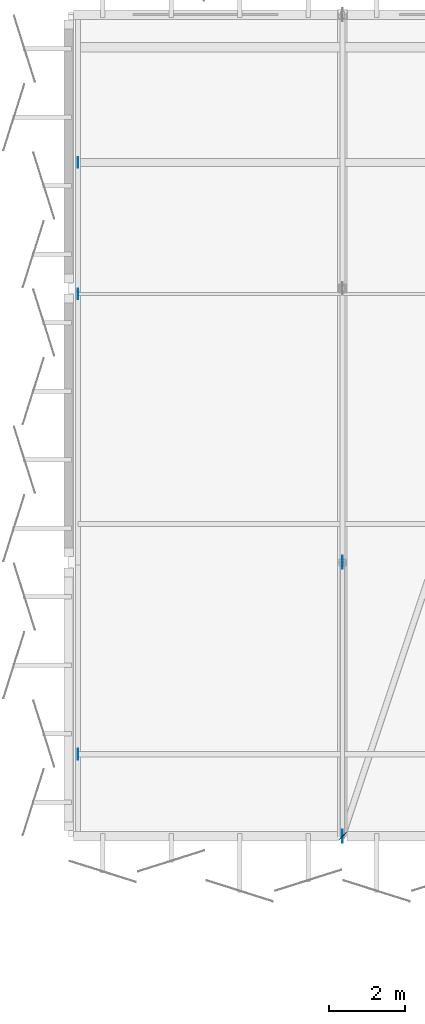
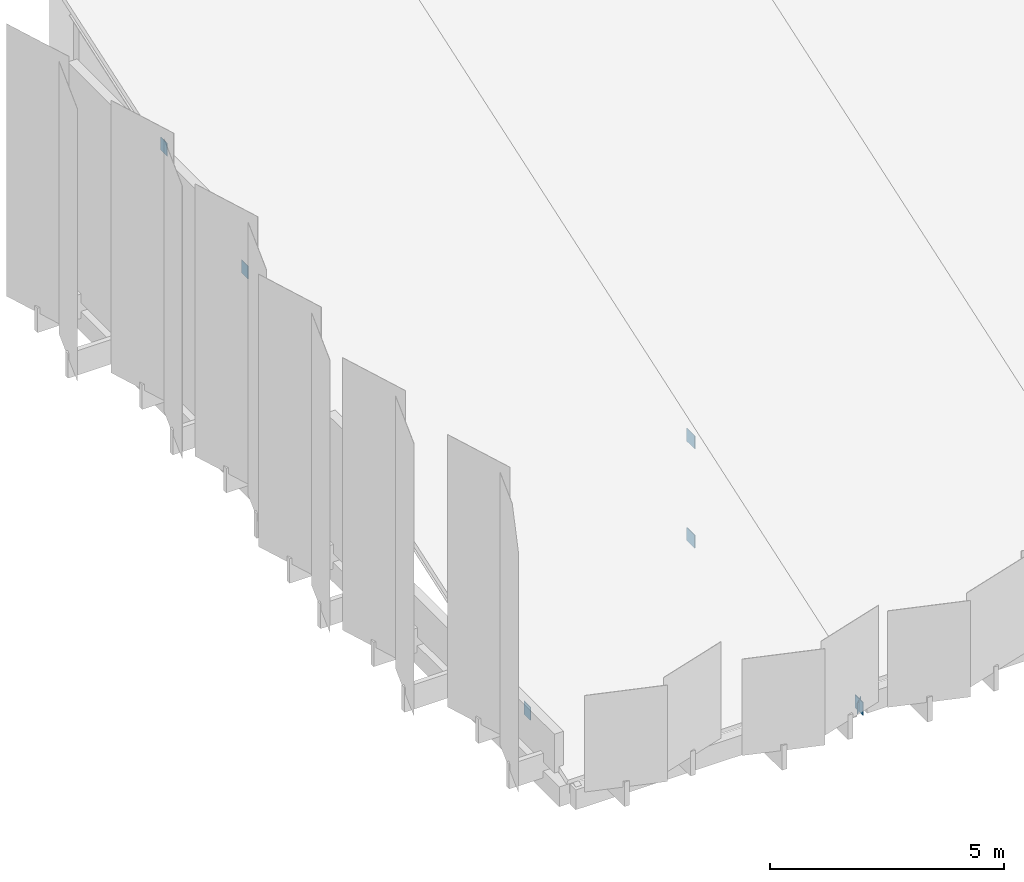
# One storey, part 32 of 59: 7 plates.
"""IFC4 building model written with IfcOpenShell, lengths in metres."""

from ifc_helpers import new_model, si_unit, direction, frame, origin, origin_2d, place, context, subcontext, project, spatial, rectangle, extrude, material, layer, layer_set, type_object, element, save


model = new_model("IFC4")

# Units and contexts
model_context = context("Model", 3, precision=1e-05, world=origin(), true_north=direction((0.0, 1.0)))
body_context = subcontext(model_context, "Body", "Model", "MODEL_VIEW")
ifc_project = project(units=[si_unit("LENGTHUNIT", "METRE"), si_unit("AREAUNIT", "SQUARE_METRE"), si_unit("VOLUMEUNIT", "CUBIC_METRE"), si_unit("PLANEANGLEUNIT", "RADIAN"), si_unit("MASSUNIT", "GRAM", prefix="KILO")], contexts=[model_context])

# Site, building, storey
site_placement = place(None, origin())
site = spatial("IfcSite", under=ifc_project, at=site_placement, CompositionType="ELEMENT")
building_placement = place(site_placement, origin())
building = spatial("IfcBuilding", under=site, at=building_placement, Name="Kangsadwip Square Police Headquarters", CompositionType="ELEMENT")
storey_placement = place(building_placement, frame((0.0, 0.0, 21.60009765625)))
storey = spatial("IfcBuildingStorey", under=building, at=storey_placement, Name="L05", CompositionType="ELEMENT", Elevation=21.60009765625)

# Plates
ifc_material_1 = material(Name="Structural steel IS 2062 E350 (Grade 350, 350 MPa)", Category="steel")
ifc_layer_1 = layer(ifc_material_1, 0.011962890625)
ifc_layer_set_1 = layer_set([ifc_layer_1], Name="Structural steel IS 2062 E350 (Grade 350, 350 MPa)")
plate_type_1 = type_object("IfcPlateType", Name="TrussEndCapPlate12", PredefinedType="USERDEFINED", material=ifc_layer_set_1)
for number, where, z_axis, x_axis, name in (
    (1, (93.843994140625, 95.760009765625, 0.259765625), (0.0, 0.0, 1.0), (0.0, 1.0, 0.0), "Truss Node Gusset Plate GP-L05-0101"),
    (2, (93.843994140625, 107.85595703125, 4.4541015625), (0.0, 0.0, 1.0), (0.0, 1.0, 0.0), "Truss Node Gusset Plate GP-L05-0102"),
    (3, (93.843994140625, 111.31201171875, 5.56787109375), (0.0, 0.0, 1.0), (0.0, 1.0, 0.0), "Truss Node Gusset Plate GP-L05-0103"),
):
    element("IfcPlate", number, at=place(storey_placement, frame(where, z_axis=z_axis, x_axis=x_axis)), inside=storey, type_object=plate_type_1, Name=name, ObjectType="GUSSET_PLATE", PredefinedType="USERDEFINED", context=body_context, shape_type="SweptSolid", body=[
        extrude(rectangle(XDim=0.280029296875, YDim=0.011962890625, at=origin_2d()), origin(), (0.0, 0.0, 1.0), 0.340087890625),
    ])
plate_placement = place(storey_placement, frame((100.800048828125, 93.60009765625, -0.68994140625), z_axis=(0.0, 0.0, 1.0), x_axis=(0.707106781187, 0.707106781187, 0.0)))
element("IfcPlate", 4, at=plate_placement, inside=storey, type_object=plate_type_1, Name="Truss Node Gusset Plate GP-L05-0104", ObjectType="GUSSET_PLATE", PredefinedType="USERDEFINED", context=body_context, shape_type="SweptSolid", body=[
    extrude(rectangle(XDim=0.280029296875, YDim=0.011962890625, at=origin_2d()), origin(), (0.0, 0.0, 1.0), 0.280029296875),
])
ifc_material_2 = material(Name="Structural steel IS 2062 E350 (Grade 350, 350 MPa)", Category="steel")
ifc_layer_2 = layer(ifc_material_2, 0.01611328125)
ifc_layer_set_2 = layer_set([ifc_layer_2], Name="Structural steel IS 2062 E350 (Grade 350, 350 MPa)")
plate_type_2 = type_object("IfcPlateType", Name="TrussGussetPlate16", PredefinedType="USERDEFINED", material=ifc_layer_set_2)
for number, where, z_axis, x_axis, name in (
    (5, (100.800048828125, 100.800048828125, -0.72021484375), (0.0, 0.0, 1.0), (0.0, 1.0, 0.0), "Truss Node Gusset Plate GP-L05-0059"),
    (6, (100.800048828125, 100.800048828125, 1.87646484375), (0.0, 0.0, 1.0), (0.0, 1.0, 0.0), "Truss Node Gusset Plate GP-L05-0060"),
    (7, (100.800048828125, 93.60009765625, -0.72021484375), (0.0, 0.0, 1.0), (0.0, 1.0, 0.0), "Truss Node Gusset Plate GP-L05-0065"),
):
    element("IfcPlate", number, at=place(storey_placement, frame(where, z_axis=z_axis, x_axis=x_axis)), inside=storey, type_object=plate_type_2, Name=name, ObjectType="GUSSET_PLATE", PredefinedType="USERDEFINED", context=body_context, shape_type="SweptSolid", body=[
        extrude(rectangle(XDim=0.340087890625, YDim=0.01611328125, at=origin_2d()), origin(), (0.0, 0.0, 1.0), 0.340087890625),
    ])

save(model, "model.ifc")
